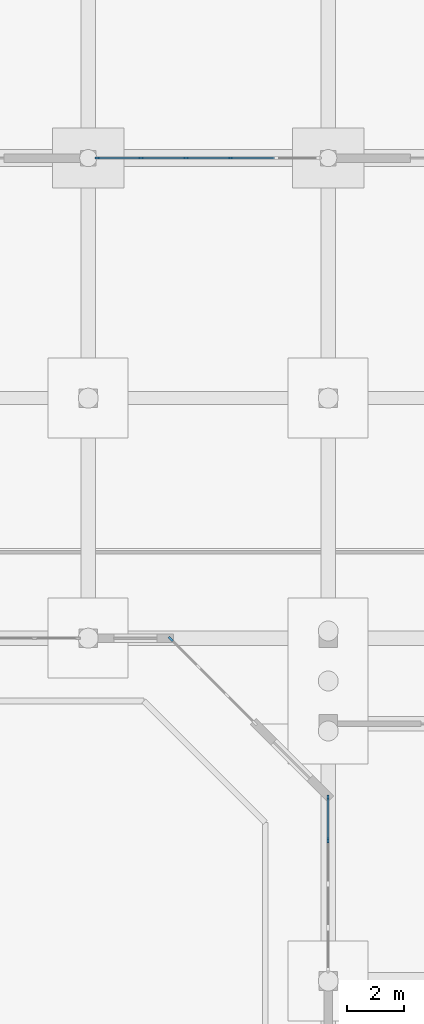
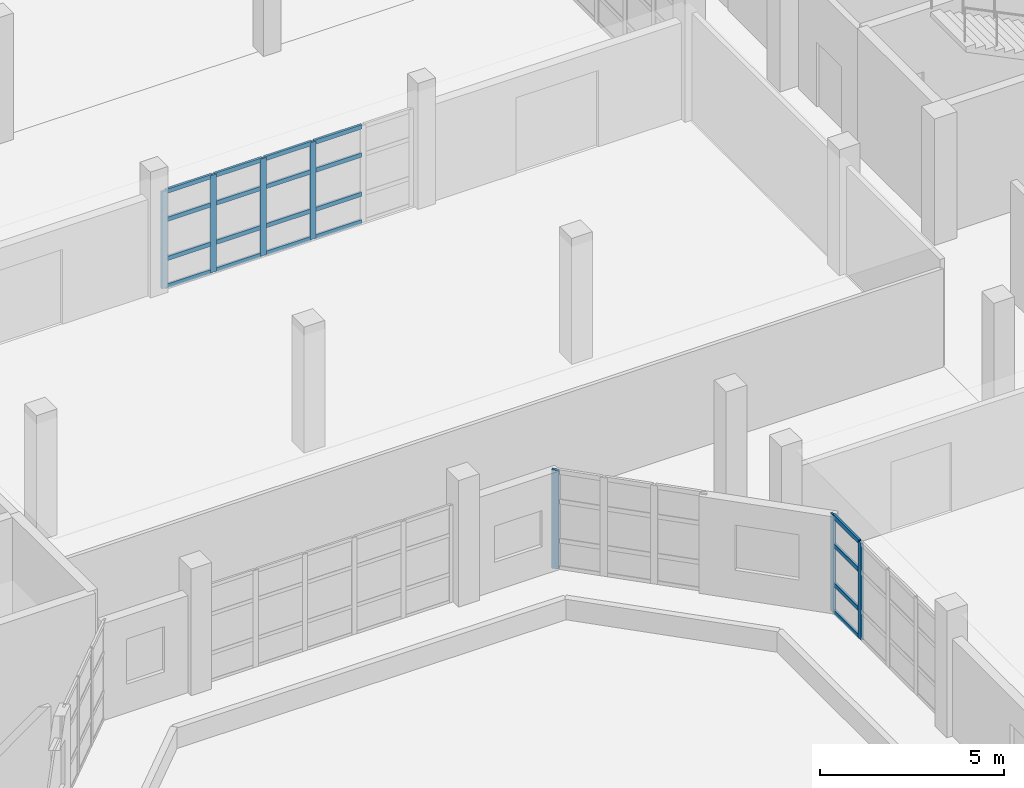
# One storey, part 30 of 88: 27 members, 3 elements without a shape of their own.
"""IFC4 building model written with IfcOpenShell, lengths in metres."""

import ifcopenshell
import ifcopenshell.guid

model = None  # the IFC model being written
_history = None  # IfcOwnerHistory: only IFC2X3 demands one
_inside = {}  # id of a spatial element -> (the spatial element, [elements in it])
_under = {}  # id of a project, library or spatial element -> (it, [spatial elements below it])
_declared = {}  # id of a project -> (the project, [libraries it declares])
_typed = {}  # id of a type object -> (the type object, [elements of that type])
_made_of = {}  # id of a material, layer set ... -> (it, [elements and type objects made of it])


def new_model(schema):
    """Start an empty IFC model of exactly this schema.

    Asked for "IFC4X3", IfcOpenShell would pick the latest addendum, in which some entities
    have other attributes; the version numbers below select the first issue.
    IFC2X3 requires an IfcOwnerHistory on every rooted entity: one is made here for all.
    """
    global model, _history
    if schema == "IFC4X3":
        model = ifcopenshell.file(schema_version=(4, 3, 0, 0))
    else:
        model = ifcopenshell.file(schema=schema)
    _inside.clear()
    _under.clear()
    _declared.clear()
    _typed.clear()
    _made_of.clear()
    _history = None
    if model.schema == "IFC2X3":
        org = make("IfcOrganization", Name="unknown")
        user = make(
            "IfcPersonAndOrganization",
            ThePerson=make("IfcPerson", FamilyName="unknown"),
            TheOrganization=org,
        )
        app = make(
            "IfcApplication",
            ApplicationDeveloper=org,
            Version="unknown",
            ApplicationFullName="unknown",
            ApplicationIdentifier="unknown",
        )
        _history = make(
            "IfcOwnerHistory",
            OwningUser=user,
            OwningApplication=app,
            ChangeAction="ADDED",
            CreationDate=0,
        )
    return model


def make(cls, **values):
    """One entity of the class cls with the attributes given. An attribute that is None is left unset."""
    return model.create_entity(
        cls, **{name: value for name, value in values.items() if value is not None}
    )


def rooted(cls, **values):
    """An entity with a GlobalId (a new one), such as an element, a storey or a relation."""
    return make(cls, GlobalId=ifcopenshell.guid.new(), OwnerHistory=_history, **values)


def si_unit(unit_type, name, prefix=None):
    """IfcSIUnit, for example si_unit("LENGTHUNIT", "METRE", prefix="MILLI")."""
    return make("IfcSIUnit", UnitType=unit_type, Prefix=prefix, Name=name)


def assignment(units):
    """IfcUnitAssignment: the units of a project."""
    return None if units is None else make("IfcUnitAssignment", Units=units)


def point(xyz):
    """IfcCartesianPoint."""
    return None if xyz is None else make("IfcCartesianPoint", Coordinates=xyz)


def direction(xyz):
    """IfcDirection."""
    return None if xyz is None else make("IfcDirection", DirectionRatios=xyz)


def frame(location, z_axis=None, x_axis=None):
    """IfcAxis2Placement3D, a coordinate frame: its origin and axes. An axis left out is left unset."""
    return make(
        "IfcAxis2Placement3D",
        Location=point(location),
        Axis=direction(z_axis),
        RefDirection=direction(x_axis),
    )


def frame_2d(location, x_axis=None):
    """IfcAxis2Placement2D, a coordinate frame in the plane: its origin and x axis."""
    return make(
        "IfcAxis2Placement2D", Location=point(location), RefDirection=direction(x_axis)
    )


def origin():
    """The frame at (0, 0, 0) with its axes left unset."""
    return frame((0.0, 0.0, 0.0))


def origin_2d():
    """The frame at (0, 0) in the plane with its x axis left unset."""
    return frame_2d((0.0, 0.0))


def place(relative_to, where):
    """IfcLocalPlacement: puts the frame where relative to a parent placement (None: the world)."""
    return make(
        "IfcLocalPlacement", PlacementRelTo=relative_to, RelativePlacement=where
    )


def context(
    kind, dimensions, precision=None, world=None, true_north=None, identifier=None
):
    """IfcGeometricRepresentationContext, for example the 3D "Model" context."""
    return make(
        "IfcGeometricRepresentationContext",
        ContextIdentifier=identifier,
        ContextType=kind,
        CoordinateSpaceDimension=dimensions,
        Precision=precision,
        WorldCoordinateSystem=world,
        TrueNorth=true_north,
    )


def subcontext(parent, identifier, kind, view, scale=None):
    """IfcGeometricRepresentationSubContext, for example "Body" below "Model"."""
    return make(
        "IfcGeometricRepresentationSubContext",
        ContextIdentifier=identifier,
        ContextType=kind,
        ParentContext=parent,
        TargetScale=scale,
        TargetView=view,
    )


def project(units=None, contexts=None):
    """IfcProject with its units and contexts."""
    return rooted(
        "IfcProject",
        Name="project",
        RepresentationContexts=contexts,
        UnitsInContext=assignment(units),
    )


def spatial(cls, under=None, at=None, **own):
    """A site, building, storey or space (cls), placed at a placement, below another one or the project."""
    s = rooted(cls, ObjectPlacement=at, **own)
    if under is not None:
        _under.setdefault(under.id(), (under, []))[1].append(s)
    return s


def profile(cls, at=None, kind="AREA", **sizes):
    """A parametric profile (cls). Its sizes go by their IFC names, for example OverallWidth=200.0."""
    return make(cls, ProfileType=kind, Position=at, **sizes)


def rectangle(**sizes):
    """IfcRectangleProfileDef."""
    return profile("IfcRectangleProfileDef", **sizes)


def extrude(swept, where, along, depth):
    """IfcExtrudedAreaSolid: the profile swept, set in the frame where, extruded along a direction by depth."""
    return make(
        "IfcExtrudedAreaSolid",
        SweptArea=swept,
        Position=where,
        ExtrudedDirection=direction(along),
        Depth=depth,
    )


def shape(context_of_items, identifier, shape_type, items):
    """IfcShapeRepresentation: the items that make up one representation, for example the "Body"."""
    return make(
        "IfcShapeRepresentation",
        ContextOfItems=context_of_items,
        RepresentationIdentifier=identifier,
        RepresentationType=shape_type,
        Items=items,
    )


def material(Name=None, Category=None):
    """IfcMaterial."""
    return make("IfcMaterial", Name=Name, Category=Category)


def material_profile(
    of_material, cross_section, Name=None, Category=None, Priority=None
):
    """IfcMaterialProfile: a cross section and its material."""
    return make(
        "IfcMaterialProfile",
        Name=Name,
        Material=of_material,
        Profile=cross_section,
        Priority=Priority,
        Category=Category,
    )


def profile_set(profiles, Name=None, composite=None):
    """IfcMaterialProfileSet."""
    return make(
        "IfcMaterialProfileSet",
        Name=Name,
        MaterialProfiles=profiles,
        CompositeProfile=composite,
    )


def made_of(thing, what):
    """Note that an element or type object is made of a material, layer set ...; save() writes the relation."""
    if what is not None:
        _made_of.setdefault(what.id(), (what, []))[1].append(thing)
    return thing


def type_object(cls, material=None, **own):
    """A type object (cls), such as IfcWallType, which elements share."""
    return made_of(rooted(cls, **own), material)


def element(
    cls,
    number,
    at=None,
    inside=None,
    cuts=None,
    type_object=None,
    material=None,
    context=None,
    identifier="Body",
    shape_type=None,
    held_by="IfcProductDefinitionShape",
    body=None,
    shapes=None,
    **own,
):
    """One element of the class cls, such as IfcWall. Its Tag is "e" and its number.

    at: its placement. inside: the storey or other place that contains it. cuts: it is an
    opening in that element (IfcRelVoidsElement). A single representation is given by context,
    identifier, shape_type and body (its items); several are given by shapes. held_by: the class
    of the entity that holds the representations. save() writes the other relations.
    """
    e = rooted(cls, Tag="e%d" % number, ObjectPlacement=at, **own)
    if body is not None:
        shapes = [shape(context, identifier, shape_type, body)]
    if shapes is not None:
        e.Representation = make(held_by, Representations=shapes)
    if inside is not None:
        _inside.setdefault(inside.id(), (inside, []))[1].append(e)
    if cuts is not None:
        rooted(
            "IfcRelVoidsElement", RelatingBuildingElement=cuts, RelatedOpeningElement=e
        )
    if type_object is not None:
        _typed.setdefault(type_object.id(), (type_object, []))[1].append(e)
    return made_of(e, material)


def aggregate(whole, parts):
    """IfcRelAggregates: a whole, such as a stair, and the parts it consists of."""
    return rooted("IfcRelAggregates", RelatingObject=whole, RelatedObjects=parts)


def save(model, path):
    """Write the relations noted so far, then the file.

    IfcRelAggregates (storeys below a building ...), IfcRelContainedInSpatialStructure (elements
    in a storey), IfcRelDefinesByType, IfcRelAssociatesMaterial and IfcRelDeclares: one each for
    every whole, place, type object, material and project.
    """
    for whole, parts in _under.values():
        aggregate(whole, parts)
    for where, things in _inside.values():
        rooted(
            "IfcRelContainedInSpatialStructure",
            RelatedElements=things,
            RelatingStructure=where,
        )
    for kind, things in _typed.values():
        rooted("IfcRelDefinesByType", RelatedObjects=things, RelatingType=kind)
    for what, things in _made_of.values():
        rooted("IfcRelAssociatesMaterial", RelatedObjects=things, RelatingMaterial=what)
    for by, libraries in _declared.values():
        rooted("IfcRelDeclares", RelatingContext=by, RelatedDefinitions=libraries)
    model.write(path)


model = new_model("IFC4")

# Units and contexts
model_context = context("Model", 3, precision=1e-05, world=origin(), true_north=direction((0.0, 1.0)))
body_context = subcontext(model_context, "Body", "Model", "MODEL_VIEW")
ifc_project = project(units=[si_unit("LENGTHUNIT", "METRE"), si_unit("AREAUNIT", "SQUARE_METRE"), si_unit("VOLUMEUNIT", "CUBIC_METRE"), si_unit("PLANEANGLEUNIT", "RADIAN"), si_unit("MASSUNIT", "GRAM", prefix="KILO")], contexts=[model_context])

# Site, building, storey
site_placement = place(None, origin())
site = spatial("IfcSite", under=ifc_project, at=site_placement, CompositionType="ELEMENT")
building_placement = place(site_placement, origin())
building = spatial("IfcBuilding", under=site, at=building_placement, Name="Vanh Quang Courtyard School", CompositionType="ELEMENT")
storey_placement = place(building_placement, origin())
storey = spatial("IfcBuildingStorey", under=building, at=storey_placement, Name="L00", CompositionType="ELEMENT", Elevation=0.0)

# Curtain wall, members
ifc_material_1 = material(Name="Thermally broken aluminium unitised curtain wall", Category="aluminium")
curtain_wall_type_1 = type_object("IfcCurtainWallType", Name="CW-SYS-01", PredefinedType="NOTDEFINED", material=ifc_material_1)
curtain_wall_1_placement = place(storey_placement, origin())
curtain_wall_1 = element("IfcCurtainWall", 1, at=curtain_wall_1_placement, inside=storey, type_object=curtain_wall_type_1, Name="Curtain Wall CW-01 (L00)", PredefinedType="NOTDEFINED")
ifc_material_2 = material(Name="Anodised aluminium 6063-T6", Category="aluminium")
ifc_material_profile_1 = material_profile(ifc_material_2, rectangle(XDim=0.070068359375, YDim=0.179931640625, at=origin_2d()), Name="ALU-MUL 70x180")
ifc_profile_set_1 = profile_set([ifc_material_profile_1], Name="Anodised aluminium 6063-T6")
member_type_1 = type_object("IfcMemberType", Name="CW-MUL-70x180", PredefinedType="MULLION", material=ifc_profile_set_1)
member_1_placement = place(storey_placement, frame((57.91796875, 88.199951171875, 0.0), z_axis=(0.0, 0.0, 1.0), x_axis=(0.0, 1.0, 0.0)))
member_1 = element("IfcMember", 2, at=member_1_placement, type_object=member_type_1, Name="CW-01 mullion 1", PredefinedType="MULLION", context=body_context, shape_type="SweptSolid", body=[
    extrude(rectangle(XDim=0.070068359375, YDim=0.179931640625, at=origin_2d()), origin(), (0.0, 0.0, 1.0), 3.219970703125),
])
member_2_placement = place(storey_placement, frame((59.44970703125, 88.199951171875, 0.0), z_axis=(0.0, 0.0, 1.0), x_axis=(0.0, 1.0, 0.0)))
member_2 = element("IfcMember", 3, at=member_2_placement, type_object=member_type_1, Name="CW-01 mullion 2", PredefinedType="MULLION", context=body_context, shape_type="SweptSolid", body=[
    extrude(rectangle(XDim=0.070068359375, YDim=0.179931640625, at=origin_2d()), origin(), (0.0, 0.0, 1.0), 3.219970703125),
])
member_3_placement = place(storey_placement, frame((61.0166015625, 88.199951171875, 0.0), z_axis=(0.0, 0.0, 1.0), x_axis=(0.0, 1.0, 0.0)))
member_3 = element("IfcMember", 4, at=member_3_placement, type_object=member_type_1, Name="CW-01 mullion 3", PredefinedType="MULLION", context=body_context, shape_type="SweptSolid", body=[
    extrude(rectangle(XDim=0.070068359375, YDim=0.179931640625, at=origin_2d()), origin(), (0.0, 0.0, 1.0), 3.219970703125),
])
member_4_placement = place(storey_placement, frame((62.58349609375, 88.199951171875, 0.0), z_axis=(0.0, 0.0, 1.0), x_axis=(0.0, 1.0, 0.0)))
member_4 = element("IfcMember", 5, at=member_4_placement, type_object=member_type_1, Name="CW-01 mullion 4", PredefinedType="MULLION", context=body_context, shape_type="SweptSolid", body=[
    extrude(rectangle(XDim=0.070068359375, YDim=0.179931640625, at=origin_2d()), origin(), (0.0, 0.0, 1.0), 3.219970703125),
])

curtain_wall_type_2 = type_object("IfcCurtainWallType", Name="CW-SYS-13", PredefinedType="NOTDEFINED", material=ifc_material_1)
curtain_wall_2_placement = place(storey_placement, origin())
curtain_wall_2 = element("IfcCurtainWall", 6, at=curtain_wall_2_placement, inside=storey, type_object=curtain_wall_type_2, Name="Curtain Wall CW-13 (L00)", PredefinedType="NOTDEFINED")
member_5_placement = place(storey_placement, frame((66.0, 64.3251953125, 0.0), z_axis=(0.0, 0.0, 1.0), x_axis=(-1.0, 0.0, 0.0)))
member_5 = element("IfcMember", 7, at=member_5_placement, type_object=member_type_1, Name="CW-13 mullion 4", PredefinedType="MULLION", context=body_context, shape_type="SweptSolid", body=[
    extrude(rectangle(XDim=0.070068359375, YDim=0.179931640625, at=origin_2d()), origin(), (0.0, 0.0, 1.0), 3.219970703125),
])
member_6_placement = place(storey_placement, frame((66.0, 65.821044921875, 0.0), z_axis=(0.0, 0.0, 1.0), x_axis=(-1.0, 0.0, 0.0)))
member_6 = element("IfcMember", 8, at=member_6_placement, type_object=member_type_1, Name="CW-13 mullion 5", PredefinedType="MULLION", context=body_context, shape_type="SweptSolid", body=[
    extrude(rectangle(XDim=0.070068359375, YDim=0.179931640625, at=origin_2d()), origin(), (0.0, 0.0, 1.0), 3.219970703125),
])

# Curtain wall, member
curtain_wall_type_3 = type_object("IfcCurtainWallType", Name="CW-SYS-14", PredefinedType="NOTDEFINED", material=ifc_material_1)
curtain_wall_3_placement = place(storey_placement, origin())
curtain_wall_3 = element("IfcCurtainWall", 9, at=curtain_wall_3_placement, inside=storey, type_object=curtain_wall_type_3, Name="Curtain Wall CW-14 (L00)", PredefinedType="NOTDEFINED")
ifc_material_profile_2 = material_profile(ifc_material_2, rectangle(XDim=0.080078125, YDim=0.199951171875, at=origin_2d()), Name="ALU-MUL 80x200")
ifc_profile_set_2 = profile_set([ifc_material_profile_2], Name="Anodised aluminium 6063-T6")
member_type_2 = type_object("IfcMemberType", Name="CW-MUL-80x200", PredefinedType="MULLION", material=ifc_profile_set_2)
member_7_placement = place(storey_placement, frame((60.484375, 71.371826171875, 0.0), z_axis=(0.0, 0.0, 1.0), x_axis=(-0.707106781187, -0.707106781187, 0.0)))
member_7 = element("IfcMember", 10, at=member_7_placement, type_object=member_type_2, Name="CW-14 mullion 4", PredefinedType="MULLION", context=body_context, shape_type="SweptSolid", body=[
    extrude(rectangle(XDim=0.080078125, YDim=0.199951171875, at=origin_2d()), origin(), (0.0, 0.0, 1.0), 3.27001953125),
])
aggregate(curtain_wall_3, [member_7])

# Member
ifc_material_profile_3 = material_profile(ifc_material_2, rectangle(XDim=0.070068359375, YDim=0.139892578125, at=origin_2d()), Name="ALU-TRN 70x140")
ifc_profile_set_3 = profile_set([ifc_material_profile_3], Name="Anodised aluminium 6063-T6")
member_type_3 = type_object("IfcMemberType", Name="CW-TRN-70x140", PredefinedType="USERDEFINED", material=ifc_profile_set_3)
member_8_placement = place(storey_placement, frame((57.952880859375, 88.199951171875, 0.034912109375), z_axis=(1.0, 0.0, 0.0), x_axis=(0.0, 1.0, 0.0)))
member_8 = element("IfcMember", 11, at=member_8_placement, type_object=member_type_3, Name="CW-01 transom 1.1", ObjectType="TRANSOM", PredefinedType="USERDEFINED", context=body_context, shape_type="SweptSolid", body=[
    extrude(rectangle(XDim=0.070068359375, YDim=0.139892578125, at=origin_2d()), origin(), (0.0, 0.0, 1.0), 1.4619140625),
])

member_9_placement = place(storey_placement, frame((57.952880859375, 88.199951171875, 0.949951171875), z_axis=(1.0, 0.0, 0.0), x_axis=(0.0, 1.0, 0.0)))
member_9 = element("IfcMember", 12, at=member_9_placement, type_object=member_type_3, Name="CW-01 transom 1.2", ObjectType="TRANSOM", PredefinedType="USERDEFINED", context=body_context, shape_type="SweptSolid", body=[
    extrude(rectangle(XDim=0.070068359375, YDim=0.139892578125, at=origin_2d()), origin(), (0.0, 0.0, 1.0), 1.4619140625),
])

member_10_placement = place(storey_placement, frame((57.952880859375, 88.199951171875, 2.25), z_axis=(1.0, 0.0, 0.0), x_axis=(0.0, 1.0, 0.0)))
member_10 = element("IfcMember", 13, at=member_10_placement, type_object=member_type_3, Name="CW-01 transom 1.3", ObjectType="TRANSOM", PredefinedType="USERDEFINED", context=body_context, shape_type="SweptSolid", body=[
    extrude(rectangle(XDim=0.070068359375, YDim=0.139892578125, at=origin_2d()), origin(), (0.0, 0.0, 1.0), 1.4619140625),
])

member_11_placement = place(storey_placement, frame((57.952880859375, 88.199951171875, 3.18505859375), z_axis=(1.0, 0.0, 0.0), x_axis=(0.0, 1.0, 0.0)))
member_11 = element("IfcMember", 14, at=member_11_placement, type_object=member_type_3, Name="CW-01 transom 1.4", ObjectType="TRANSOM", PredefinedType="USERDEFINED", context=body_context, shape_type="SweptSolid", body=[
    extrude(rectangle(XDim=0.070068359375, YDim=0.139892578125, at=origin_2d()), origin(), (0.0, 0.0, 1.0), 1.4619140625),
])

member_12_placement = place(storey_placement, frame((59.48486328125, 88.199951171875, 0.034912109375), z_axis=(1.0, 0.0, 0.0), x_axis=(0.0, 1.0, 0.0)))
member_12 = element("IfcMember", 15, at=member_12_placement, type_object=member_type_3, Name="CW-01 transom 2.1", ObjectType="TRANSOM", PredefinedType="USERDEFINED", context=body_context, shape_type="SweptSolid", body=[
    extrude(rectangle(XDim=0.070068359375, YDim=0.139892578125, at=origin_2d()), origin(), (0.0, 0.0, 1.0), 1.496826171875),
])

member_13_placement = place(storey_placement, frame((59.48486328125, 88.199951171875, 0.949951171875), z_axis=(1.0, 0.0, 0.0), x_axis=(0.0, 1.0, 0.0)))
member_13 = element("IfcMember", 16, at=member_13_placement, type_object=member_type_3, Name="CW-01 transom 2.2", ObjectType="TRANSOM", PredefinedType="USERDEFINED", context=body_context, shape_type="SweptSolid", body=[
    extrude(rectangle(XDim=0.070068359375, YDim=0.139892578125, at=origin_2d()), origin(), (0.0, 0.0, 1.0), 1.496826171875),
])

member_14_placement = place(storey_placement, frame((59.48486328125, 88.199951171875, 2.25), z_axis=(1.0, 0.0, 0.0), x_axis=(0.0, 1.0, 0.0)))
member_14 = element("IfcMember", 17, at=member_14_placement, type_object=member_type_3, Name="CW-01 transom 2.3", ObjectType="TRANSOM", PredefinedType="USERDEFINED", context=body_context, shape_type="SweptSolid", body=[
    extrude(rectangle(XDim=0.070068359375, YDim=0.139892578125, at=origin_2d()), origin(), (0.0, 0.0, 1.0), 1.496826171875),
])

member_15_placement = place(storey_placement, frame((59.48486328125, 88.199951171875, 3.18505859375), z_axis=(1.0, 0.0, 0.0), x_axis=(0.0, 1.0, 0.0)))
member_15 = element("IfcMember", 18, at=member_15_placement, type_object=member_type_3, Name="CW-01 transom 2.4", ObjectType="TRANSOM", PredefinedType="USERDEFINED", context=body_context, shape_type="SweptSolid", body=[
    extrude(rectangle(XDim=0.070068359375, YDim=0.139892578125, at=origin_2d()), origin(), (0.0, 0.0, 1.0), 1.496826171875),
])

member_16_placement = place(storey_placement, frame((61.051513671875, 88.199951171875, 0.034912109375), z_axis=(1.0, 0.0, 0.0), x_axis=(0.0, 1.0, 0.0)))
member_16 = element("IfcMember", 19, at=member_16_placement, type_object=member_type_3, Name="CW-01 transom 3.1", ObjectType="TRANSOM", PredefinedType="USERDEFINED", context=body_context, shape_type="SweptSolid", body=[
    extrude(rectangle(XDim=0.070068359375, YDim=0.139892578125, at=origin_2d()), origin(), (0.0, 0.0, 1.0), 1.496826171875),
])

member_17_placement = place(storey_placement, frame((61.051513671875, 88.199951171875, 0.949951171875), z_axis=(1.0, 0.0, 0.0), x_axis=(0.0, 1.0, 0.0)))
member_17 = element("IfcMember", 20, at=member_17_placement, type_object=member_type_3, Name="CW-01 transom 3.2", ObjectType="TRANSOM", PredefinedType="USERDEFINED", context=body_context, shape_type="SweptSolid", body=[
    extrude(rectangle(XDim=0.070068359375, YDim=0.139892578125, at=origin_2d()), origin(), (0.0, 0.0, 1.0), 1.496826171875),
])

member_18_placement = place(storey_placement, frame((61.051513671875, 88.199951171875, 2.25), z_axis=(1.0, 0.0, 0.0), x_axis=(0.0, 1.0, 0.0)))
member_18 = element("IfcMember", 21, at=member_18_placement, type_object=member_type_3, Name="CW-01 transom 3.3", ObjectType="TRANSOM", PredefinedType="USERDEFINED", context=body_context, shape_type="SweptSolid", body=[
    extrude(rectangle(XDim=0.070068359375, YDim=0.139892578125, at=origin_2d()), origin(), (0.0, 0.0, 1.0), 1.496826171875),
])

member_19_placement = place(storey_placement, frame((61.051513671875, 88.199951171875, 3.18505859375), z_axis=(1.0, 0.0, 0.0), x_axis=(0.0, 1.0, 0.0)))
member_19 = element("IfcMember", 22, at=member_19_placement, type_object=member_type_3, Name="CW-01 transom 3.4", ObjectType="TRANSOM", PredefinedType="USERDEFINED", context=body_context, shape_type="SweptSolid", body=[
    extrude(rectangle(XDim=0.070068359375, YDim=0.139892578125, at=origin_2d()), origin(), (0.0, 0.0, 1.0), 1.496826171875),
])

member_20_placement = place(storey_placement, frame((62.618408203125, 88.199951171875, 0.034912109375), z_axis=(1.0, 0.0, 0.0), x_axis=(0.0, 1.0, 0.0)))
member_20 = element("IfcMember", 23, at=member_20_placement, type_object=member_type_3, Name="CW-01 transom 4.1", ObjectType="TRANSOM", PredefinedType="USERDEFINED", context=body_context, shape_type="SweptSolid", body=[
    extrude(rectangle(XDim=0.070068359375, YDim=0.139892578125, at=origin_2d()), origin(), (0.0, 0.0, 1.0), 1.496826171875),
])

member_21_placement = place(storey_placement, frame((62.618408203125, 88.199951171875, 0.949951171875), z_axis=(1.0, 0.0, 0.0), x_axis=(0.0, 1.0, 0.0)))
member_21 = element("IfcMember", 24, at=member_21_placement, type_object=member_type_3, Name="CW-01 transom 4.2", ObjectType="TRANSOM", PredefinedType="USERDEFINED", context=body_context, shape_type="SweptSolid", body=[
    extrude(rectangle(XDim=0.070068359375, YDim=0.139892578125, at=origin_2d()), origin(), (0.0, 0.0, 1.0), 1.496826171875),
])

member_22_placement = place(storey_placement, frame((62.618408203125, 88.199951171875, 2.25), z_axis=(1.0, 0.0, 0.0), x_axis=(0.0, 1.0, 0.0)))
member_22 = element("IfcMember", 25, at=member_22_placement, type_object=member_type_3, Name="CW-01 transom 4.3", ObjectType="TRANSOM", PredefinedType="USERDEFINED", context=body_context, shape_type="SweptSolid", body=[
    extrude(rectangle(XDim=0.070068359375, YDim=0.139892578125, at=origin_2d()), origin(), (0.0, 0.0, 1.0), 1.496826171875),
])

member_23_placement = place(storey_placement, frame((62.618408203125, 88.199951171875, 3.18505859375), z_axis=(1.0, 0.0, 0.0), x_axis=(0.0, 1.0, 0.0)))
member_23 = element("IfcMember", 26, at=member_23_placement, type_object=member_type_3, Name="CW-01 transom 4.4", ObjectType="TRANSOM", PredefinedType="USERDEFINED", context=body_context, shape_type="SweptSolid", body=[
    extrude(rectangle(XDim=0.070068359375, YDim=0.139892578125, at=origin_2d()), origin(), (0.0, 0.0, 1.0), 1.496826171875),
])

aggregate(curtain_wall_1, [member_1, member_2, member_3, member_4, member_8, member_9, member_10, member_11, member_12, member_13, member_14, member_15, member_16, member_17, member_18, member_19, member_20, member_21, member_22, member_23])

member_24_placement = place(storey_placement, frame((66.0, 64.3603515625, 0.034912109375), z_axis=(0.0, 1.0, 0.0), x_axis=(-1.0, 0.0, 0.0)))
member_24 = element("IfcMember", 27, at=member_24_placement, type_object=member_type_3, Name="CW-13 transom 4.1", ObjectType="TRANSOM", PredefinedType="USERDEFINED", context=body_context, shape_type="SweptSolid", body=[
    extrude(rectangle(XDim=0.070068359375, YDim=0.139892578125, at=origin_2d()), origin(), (0.0, 0.0, 1.0), 1.425537109375),
])

member_25_placement = place(storey_placement, frame((66.0, 64.3603515625, 0.949951171875), z_axis=(0.0, 1.0, 0.0), x_axis=(-1.0, 0.0, 0.0)))
member_25 = element("IfcMember", 28, at=member_25_placement, type_object=member_type_3, Name="CW-13 transom 4.2", ObjectType="TRANSOM", PredefinedType="USERDEFINED", context=body_context, shape_type="SweptSolid", body=[
    extrude(rectangle(XDim=0.070068359375, YDim=0.139892578125, at=origin_2d()), origin(), (0.0, 0.0, 1.0), 1.425537109375),
])

member_26_placement = place(storey_placement, frame((66.0, 64.3603515625, 2.25), z_axis=(0.0, 1.0, 0.0), x_axis=(-1.0, 0.0, 0.0)))
member_26 = element("IfcMember", 29, at=member_26_placement, type_object=member_type_3, Name="CW-13 transom 4.3", ObjectType="TRANSOM", PredefinedType="USERDEFINED", context=body_context, shape_type="SweptSolid", body=[
    extrude(rectangle(XDim=0.070068359375, YDim=0.139892578125, at=origin_2d()), origin(), (0.0, 0.0, 1.0), 1.425537109375),
])

member_27_placement = place(storey_placement, frame((66.0, 64.3603515625, 3.18505859375), z_axis=(0.0, 1.0, 0.0), x_axis=(-1.0, 0.0, 0.0)))
member_27 = element("IfcMember", 30, at=member_27_placement, type_object=member_type_3, Name="CW-13 transom 4.4", ObjectType="TRANSOM", PredefinedType="USERDEFINED", context=body_context, shape_type="SweptSolid", body=[
    extrude(rectangle(XDim=0.070068359375, YDim=0.139892578125, at=origin_2d()), origin(), (0.0, 0.0, 1.0), 1.425537109375),
])

aggregate(curtain_wall_2, [member_5, member_6, member_24, member_25, member_26, member_27])

save(model, "model.ifc")
